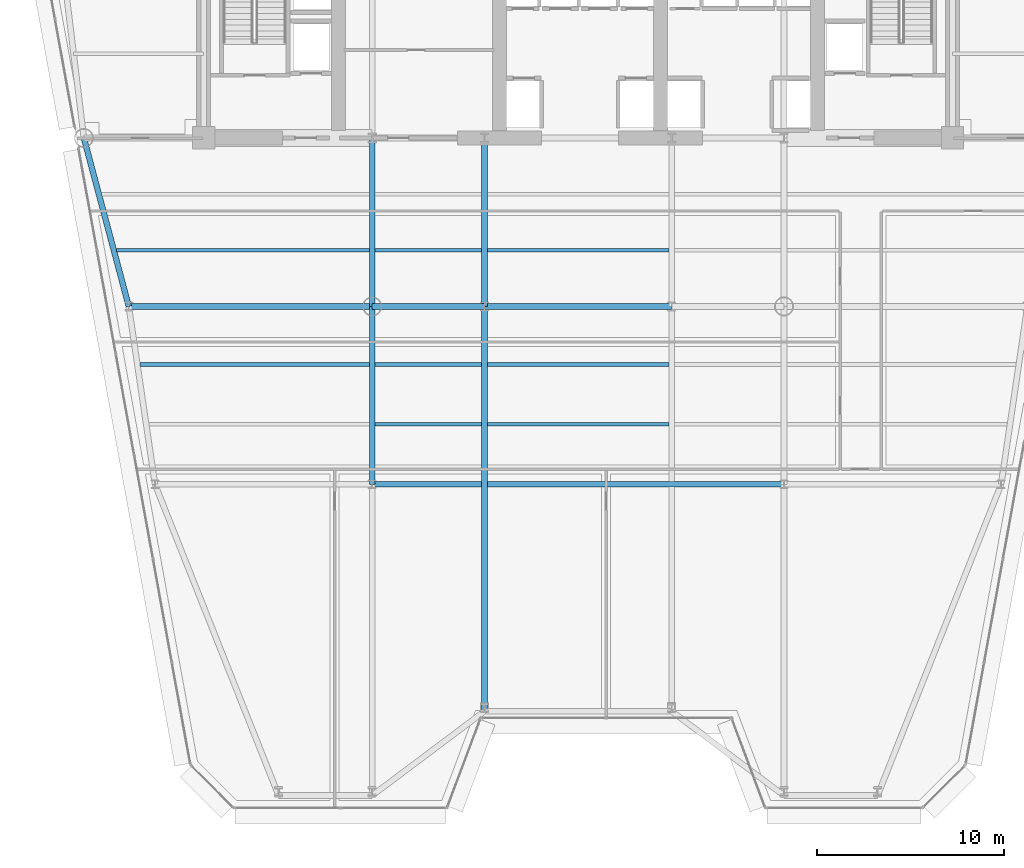
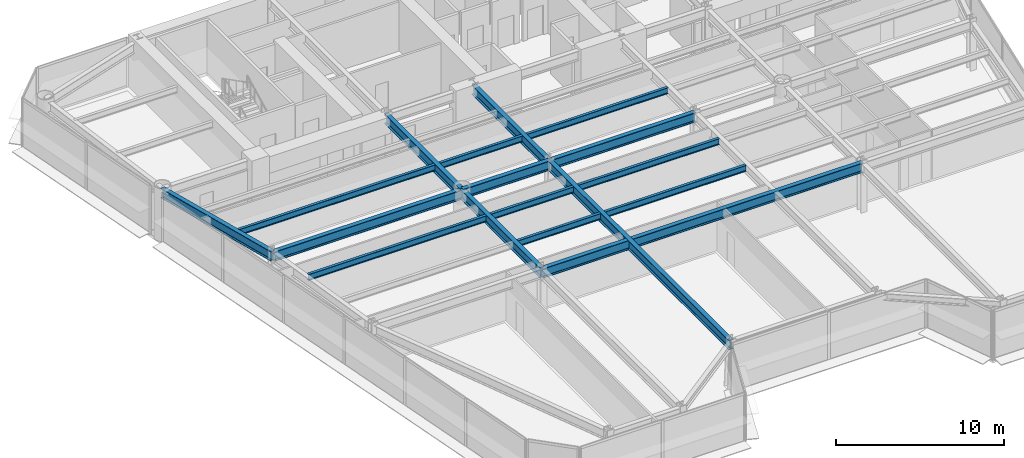
# One storey, part 3 of 14: 17 beams.
"""IFC4 building model written with IfcOpenShell, lengths in metres."""

from ifc_helpers import new_model, si_unit, direction, frame, origin, origin_2d, place, context, subcontext, project, spatial, i_section, extrude, source, transform, mapped, material, material_profile, profile_set, type_object, element, save


model = new_model("IFC4")

# Units and contexts
model_context = context("Model", 3, precision=1e-05, world=origin(), true_north=direction((0.0, 1.0)))
body_context = subcontext(model_context, "Body", "Model", "MODEL_VIEW")
ifc_project = project(units=[si_unit("LENGTHUNIT", "METRE"), si_unit("AREAUNIT", "SQUARE_METRE"), si_unit("VOLUMEUNIT", "CUBIC_METRE"), si_unit("PLANEANGLEUNIT", "RADIAN"), si_unit("MASSUNIT", "GRAM", prefix="KILO")], contexts=[model_context])

# Site, building, storey
site_placement = place(None, origin())
site = spatial("IfcSite", under=ifc_project, at=site_placement, CompositionType="ELEMENT")
building_placement = place(site_placement, origin())
building = spatial("IfcBuilding", under=site, at=building_placement, Name="Vaeldorn Concourse Tower", CompositionType="ELEMENT")
storey_placement = place(building_placement, frame((0.0, 0.0, 133.800048828125)))
storey = spatial("IfcBuildingStorey", under=building, at=storey_placement, Name="L34", CompositionType="ELEMENT", Elevation=133.800048828125)

# Beams
ifc_material = material(Name="Steel S355", Category="steel")
ifc_material_profile_1 = material_profile(ifc_material, i_section(OverallWidth=0.300048828125, OverallDepth=0.699951171875, WebThickness=0.01708984375, FlangeThickness=0.031982421875, FilletRadius=0.027099609375, at=origin_2d()), Name="HEB 700")
ifc_profile_set_1 = profile_set([ifc_material_profile_1], Name="Steel S355")
beam_type_1 = type_object("IfcBeamType", Name="BM-PG-HEB700", PredefinedType="BEAM", material=ifc_profile_set_1)
shared_shape_1 = source(origin(), body_context, "Body", "SweptSolid", [
    extrude(i_section(OverallWidth=0.300048828125, OverallDepth=0.699951171875, WebThickness=0.01708984375, FlangeThickness=0.031982421875, FilletRadius=0.027099609375, at=origin_2d()), origin(), (0.0, 0.0, 1.0), 6.0),
])
beam_1_placement = place(storey_placement, frame((23.0, 27.5, 3.22998046875), z_axis=(1.0, 0.0, 0.0), x_axis=(0.0, 1.0, 0.0)))
element("IfcBeam", 1, at=beam_1_placement, inside=storey, type_object=beam_type_1, Name="Beam BM-L34-C-TW1-C-TW2", PredefinedType="BEAM", context=body_context, shape_type="MappedRepresentation", body=[
    mapped(shared_shape_1, transform((0.0, 0.0, 0.0), scale=1.0)),
])
shared_shape_2 = source(origin(), body_context, "Body", "SweptSolid", [
    extrude(i_section(OverallWidth=0.300048828125, OverallDepth=0.699951171875, WebThickness=0.01708984375, FlangeThickness=0.031982421875, FilletRadius=0.027099609375, at=origin_2d()), origin(), (0.0, 0.0, 1.0), 10.0),
])
beam_2_placement = place(storey_placement, frame((29.0, 27.5, 3.22998046875), z_axis=(1.0, 0.0, 0.0), x_axis=(0.0, 1.0, 0.0)))
element("IfcBeam", 2, at=beam_2_placement, inside=storey, type_object=beam_type_1, Name="Beam BM-L34-C-TW2-C-TW3", PredefinedType="BEAM", context=body_context, shape_type="MappedRepresentation", body=[
    mapped(shared_shape_2, transform((0.0, 0.0, 0.0), scale=1.0)),
])
shared_shape_3 = source(origin(), body_context, "Body", "SweptSolid", [
    extrude(i_section(OverallWidth=0.300048828125, OverallDepth=0.699951171875, WebThickness=0.01708984375, FlangeThickness=0.031982421875, FilletRadius=0.027099609375, at=origin_2d()), origin(), (0.0, 0.0, 1.0), 9.0),
])
for number, where, z_axis, x_axis, name in (
    (3, (23.0, 27.5, 3.22998046875), (0.0, 1.0, 0.0), (-1.0, 0.0, 0.0), "Beam BM-L34-C-TW1-C-FC2"),
    (4, (29.0, 27.5, 3.22998046875), (0.0, 1.0, 0.0), (-1.0, 0.0, 0.0), "Beam BM-L34-C-TW2-C-FC3"),
):
    element("IfcBeam", number, at=place(storey_placement, frame(where, z_axis=z_axis, x_axis=x_axis)), inside=storey, type_object=beam_type_1, Name=name, PredefinedType="BEAM", context=body_context, shape_type="MappedRepresentation", body=[
        mapped(shared_shape_3, transform((0.0, 0.0, 0.0), scale=1.0)),
    ])
shared_shape_4 = source(origin(), body_context, "Body", "SweptSolid", [
    extrude(i_section(OverallWidth=0.300048828125, OverallDepth=0.699951171875, WebThickness=0.01708984375, FlangeThickness=0.031982421875, FilletRadius=0.027099609375, at=origin_2d()), origin(), (0.0, 0.0, 1.0), 9.314453125),
])
beam_3_placement = place(storey_placement, frame((7.60009765625, 36.5, 3.22998046875), z_axis=(0.257652862255, -0.966237549763, 0.0), x_axis=(0.966237549763, 0.257652862255, 0.0)))
element("IfcBeam", 5, at=beam_3_placement, inside=storey, type_object=beam_type_1, Name="Beam BM-L34-C-NW2-C-FLW1", PredefinedType="BEAM", context=body_context, shape_type="MappedRepresentation", body=[
    mapped(shared_shape_4, transform((0.0, 0.0, 0.0), scale=1.0)),
])
shared_shape_5 = source(origin(), body_context, "Body", "SweptSolid", [
    extrude(i_section(OverallWidth=0.300048828125, OverallDepth=0.699951171875, WebThickness=0.01708984375, FlangeThickness=0.031982421875, FilletRadius=0.027099609375, at=origin_2d()), origin(), (0.0, 0.0, 1.0), 13.0),
])
beam_4_placement = place(storey_placement, frame((10.0, 27.5, 3.22998046875), z_axis=(1.0, 0.0, 0.0), x_axis=(0.0, 1.0, 0.0)))
element("IfcBeam", 6, at=beam_4_placement, inside=storey, type_object=beam_type_1, Name="Beam BM-L34-C-FLW1-C-TW1", PredefinedType="BEAM", context=body_context, shape_type="MappedRepresentation", body=[
    mapped(shared_shape_5, transform((0.0, 0.0, 0.0), scale=1.0)),
])
shared_shape_6 = source(origin(), body_context, "Body", "SweptSolid", [
    extrude(i_section(OverallWidth=0.300048828125, OverallDepth=0.699951171875, WebThickness=0.01708984375, FlangeThickness=0.031982421875, FilletRadius=0.027099609375, at=origin_2d()), origin(), (0.0, 0.0, 1.0), 22.0),
])
beam_5_placement = place(storey_placement, frame((23.0, 18.0, 3.22998046875), z_axis=(1.0, 0.0, 0.0), x_axis=(0.0, 1.0, 0.0)))
element("IfcBeam", 7, at=beam_5_placement, inside=storey, type_object=beam_type_1, Name="Beam BM-L34-C-TW5-C-TW6", PredefinedType="BEAM", context=body_context, shape_type="MappedRepresentation", body=[
    mapped(shared_shape_6, transform((0.0, 0.0, 0.0), scale=1.0)),
])
shared_shape_7 = source(origin(), body_context, "Body", "SweptSolid", [
    extrude(i_section(OverallWidth=0.300048828125, OverallDepth=0.699951171875, WebThickness=0.01708984375, FlangeThickness=0.031982421875, FilletRadius=0.027099609375, at=origin_2d()), origin(), (0.0, 0.0, 1.0), 9.5),
])
beam_6_placement = place(storey_placement, frame((23.0, 18.0, 3.22998046875), z_axis=(0.0, 1.0, 0.0), x_axis=(-1.0, 0.0, 0.0)))
element("IfcBeam", 8, at=beam_6_placement, inside=storey, type_object=beam_type_1, Name="Beam BM-L34-C-TW5-C-TW1", PredefinedType="BEAM", context=body_context, shape_type="MappedRepresentation", body=[
    mapped(shared_shape_7, transform((0.0, 0.0, 0.0), scale=1.0)),
])
ifc_material_profile_2 = material_profile(ifc_material, i_section(OverallWidth=0.18994140625, OverallDepth=0.449951171875, WebThickness=0.009521484375, FlangeThickness=0.0146484375, FilletRadius=0.02099609375, at=origin_2d()), Name="IPE 450")
ifc_profile_set_2 = profile_set([ifc_material_profile_2], Name="Steel S355")
beam_type_2 = type_object("IfcBeamType", Name="BM-JS-IPE450", PredefinedType="JOIST", material=ifc_profile_set_2)
shared_shape_8 = source(origin(), body_context, "Body", "SweptSolid", [
    extrude(i_section(OverallWidth=0.18994140625, OverallDepth=0.449951171875, WebThickness=0.009521484375, FlangeThickness=0.0146484375, FilletRadius=0.02099609375, at=origin_2d()), origin(), (0.0, 0.0, 1.0), 5.7001953125),
])
for number, where, z_axis, x_axis, name in (
    (9, (23.14990234375, 21.199951171875, 3.35498046875), (1.0, 0.0, 0.0), (0.0, 1.0, 0.0), "Beam JS-L34-W2-212"),
    (10, (23.14990234375, 24.39990234375, 3.35498046875), (1.0, 0.0, 0.0), (0.0, 1.0, 0.0), "Beam JS-L34-W2-244"),
    (11, (23.14990234375, 30.5, 3.35498046875), (1.0, 0.0, 0.0), (0.0, 1.0, 0.0), "Beam JS-L34-W2-305"),
):
    element("IfcBeam", number, at=place(storey_placement, frame(where, z_axis=z_axis, x_axis=x_axis)), inside=storey, type_object=beam_type_2, Name=name, PredefinedType="JOIST", context=body_context, shape_type="MappedRepresentation", body=[
        mapped(shared_shape_8, transform((0.0, 0.0, 0.0), scale=1.0)),
    ])
shared_shape_9 = source(origin(), body_context, "Body", "SweptSolid", [
    extrude(i_section(OverallWidth=0.18994140625, OverallDepth=0.449951171875, WebThickness=0.009521484375, FlangeThickness=0.0146484375, FilletRadius=0.02099609375, at=origin_2d()), origin(), (0.0, 0.0, 1.0), 9.7001953125),
])
for number, where, z_axis, x_axis, name in (
    (12, (29.14990234375, 21.199951171875, 3.35498046875), (1.0, 0.0, 0.0), (0.0, 1.0, 0.0), "Beam JS-L34-C-212"),
    (13, (29.14990234375, 24.39990234375, 3.35498046875), (1.0, 0.0, 0.0), (0.0, 1.0, 0.0), "Beam JS-L34-C-244"),
    (14, (29.14990234375, 30.5, 3.35498046875), (1.0, 0.0, 0.0), (0.0, 1.0, 0.0), "Beam JS-L34-C-305"),
):
    element("IfcBeam", number, at=place(storey_placement, frame(where, z_axis=z_axis, x_axis=x_axis)), inside=storey, type_object=beam_type_2, Name=name, PredefinedType="JOIST", context=body_context, shape_type="MappedRepresentation", body=[
        mapped(shared_shape_9, transform((0.0, 0.0, 0.0), scale=1.0)),
    ])
shared_shape_10 = source(origin(), body_context, "Body", "SweptSolid", [
    extrude(i_section(OverallWidth=0.300048828125, OverallDepth=0.699951171875, WebThickness=0.01708984375, FlangeThickness=0.031982421875, FilletRadius=0.027099609375, at=origin_2d()), origin(), (0.0, 0.0, 1.0), 21.621826171875),
])
beam_7_placement = place(storey_placement, frame((29.0, 5.878173828125, 3.22998046875), z_axis=(0.0, 1.0, 0.0), x_axis=(-1.0, 0.0, 0.0)))
element("IfcBeam", 15, at=beam_7_placement, inside=storey, type_object=beam_type_1, Name="Beam BM-L34-C-SF3-C-TW2", PredefinedType="BEAM", context=body_context, shape_type="MappedRepresentation", body=[
    mapped(shared_shape_10, transform((0.0, 0.0, 0.0), scale=1.0)),
])
shared_shape_11 = source(origin(), body_context, "Body", "SweptSolid", [
    extrude(i_section(OverallWidth=0.18994140625, OverallDepth=0.449951171875, WebThickness=0.009521484375, FlangeThickness=0.0146484375, FilletRadius=0.02099609375, at=origin_2d()), origin(), (0.0, 0.0, 1.0), 12.243408203125),
])
beam_8_placement = place(storey_placement, frame((10.606689453125, 24.39990234375, 3.35498046875), z_axis=(1.0, 0.0, 0.0), x_axis=(0.0, 1.0, 0.0)))
element("IfcBeam", 16, at=beam_8_placement, inside=storey, type_object=beam_type_2, Name="Beam JS-L34-W1-244", PredefinedType="JOIST", context=body_context, shape_type="MappedRepresentation", body=[
    mapped(shared_shape_11, transform((0.0, 0.0, 0.0), scale=1.0)),
])
shared_shape_12 = source(origin(), body_context, "Body", "SweptSolid", [
    extrude(i_section(OverallWidth=0.18994140625, OverallDepth=0.449951171875, WebThickness=0.009521484375, FlangeThickness=0.0146484375, FilletRadius=0.02099609375, at=origin_2d()), origin(), (0.0, 0.0, 1.0), 13.5),
])
beam_9_placement = place(storey_placement, frame((9.35009765625, 30.5, 3.35498046875), z_axis=(1.0, 0.0, 0.0), x_axis=(0.0, 1.0, 0.0)))
element("IfcBeam", 17, at=beam_9_placement, inside=storey, type_object=beam_type_2, Name="Beam JS-L34-W1-305", PredefinedType="JOIST", context=body_context, shape_type="MappedRepresentation", body=[
    mapped(shared_shape_12, transform((0.0, 0.0, 0.0), scale=1.0)),
])

save(model, "model.ifc")
